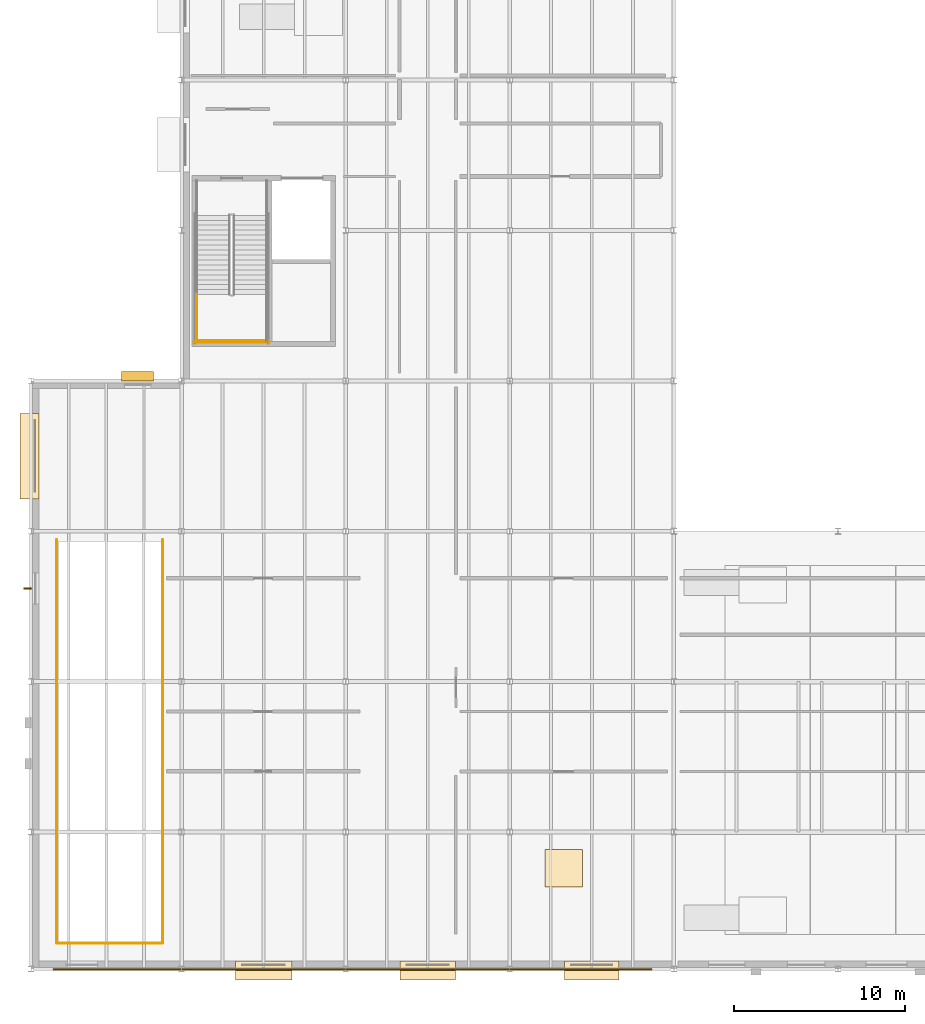
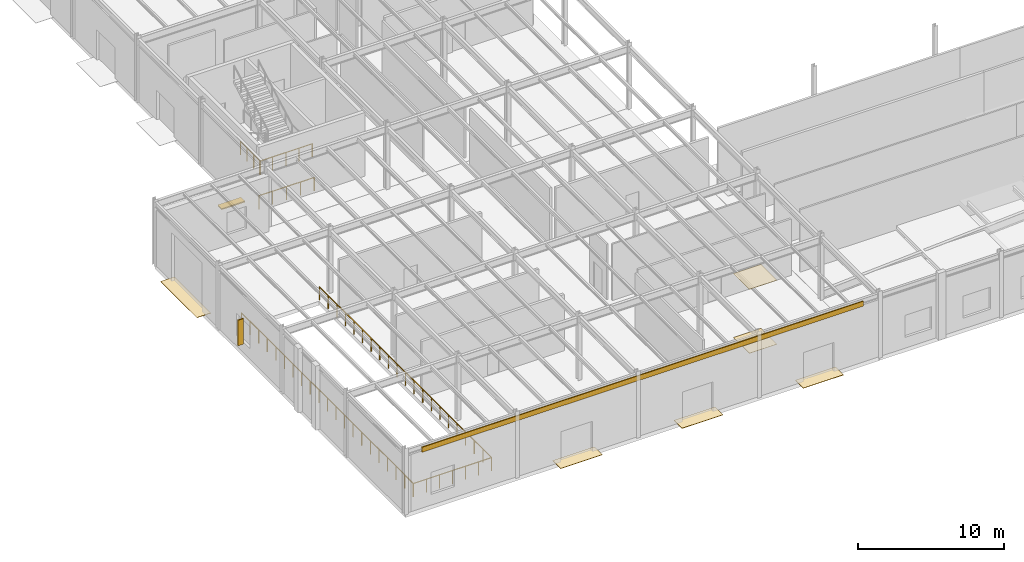
# One storey, part 55 of 70: 7 coverings, 6 railings, 2 shading devices.
"""IFC4 building model written with IfcOpenShell, lengths in metres."""

from ifc_helpers import new_model, si_unit, direction, frame, origin, origin_2d, place, context, subcontext, project, spatial, rectangle, circle, extrude, material, layer, layer_set, type_object, element, save


model = new_model("IFC4")

# Units and contexts
model_context = context("Model", 3, precision=1e-05, world=origin(), true_north=direction((0.0, 1.0)))
body_context = subcontext(model_context, "Body", "Model", "MODEL_VIEW")
ifc_project = project(units=[si_unit("LENGTHUNIT", "METRE"), si_unit("AREAUNIT", "SQUARE_METRE"), si_unit("VOLUMEUNIT", "CUBIC_METRE"), si_unit("PLANEANGLEUNIT", "RADIAN"), si_unit("MASSUNIT", "GRAM", prefix="KILO")], contexts=[model_context])

# Site, building, storey
site_placement = place(None, origin())
site = spatial("IfcSite", under=ifc_project, at=site_placement, CompositionType="ELEMENT")
building_placement = place(site_placement, origin())
building = spatial("IfcBuilding", under=site, at=building_placement, Name="Sarnbrook Museum", CompositionType="ELEMENT")
storey_placement = place(building_placement, origin())
storey = spatial("IfcBuildingStorey", under=building, at=storey_placement, Name="L00", CompositionType="ELEMENT", Elevation=0.0)

# Shading device
ifc_material_1 = material(Name="Patinated Architectural Bronze")
shading_device_type_1 = type_object("IfcShadingDeviceType", Name="BriseSoleil_Horizontal", PredefinedType="SHUTTER", material=ifc_material_1)
shading_device_1_placement = place(storey_placement, frame((11.02490234375, 39.469970703125, 2.76513671875), z_axis=(0.0, 0.0, 1.0), x_axis=(1.0, 0.0, 0.0)))
element("IfcShadingDevice", 1, at=shading_device_1_placement, inside=storey, type_object=shading_device_type_1, Name="Horizontal Bronze Brise-Soleil BS-010", PredefinedType="SHUTTER", context=body_context, shape_type="SweptSolid", body=[
    extrude(rectangle(XDim=1.85009765625, YDim=0.550048828125, at=origin_2d()), origin(), (0.0, 0.0, 1.0), 0.090087890625),
])

# Coverings
ifc_material_2 = material(Name="Tasmanian Oak Acoustic Timber", Category="wood")
ifc_layer_1 = layer(ifc_material_2, 0.02490234375)
ifc_layer_set_1 = layer_set([ifc_layer_1], Name="Tasmanian Oak Acoustic Timber")
covering_type_1 = type_object("IfcCoveringType", Name="Ceil_Timber25", PredefinedType="CEILING", material=ifc_layer_set_1)
covering_1_placement = place(storey_placement, frame((35.9599609375, 10.68505859375, 5.364990234375), z_axis=(0.0, 0.0, 1.0), x_axis=(1.0, 0.0, 0.0)))
element("IfcCovering", 2, at=covering_1_placement, inside=storey, type_object=covering_type_1, Name="Acoustic Ceiling Baffle Panel L00-15", PredefinedType="CEILING", context=body_context, shape_type="SweptSolid", body=[
    extrude(rectangle(XDim=2.199951171875, YDim=2.199951171875, at=origin_2d()), origin(), (0.0, 0.0, 1.0), 0.02490234375),
])
ifc_material_3 = material(Name="Barrabool Sandstone Ashlar Cladding", Category="masonry")
ifc_layer_2 = layer(ifc_material_3, 0.074951171875)
ifc_layer_set_2 = layer_set([ifc_layer_2], Name="Barrabool Sandstone Ashlar Cladding")
covering_type_2 = type_object("IfcCoveringType", Name="Cladding_SandstoneCornice", PredefinedType="CLADDING", material=ifc_layer_set_2)
covering_2_placement = place(storey_placement, frame((23.60009765625, 4.764892578125, 4.739990234375), z_axis=(0.0, 0.0, 1.0), x_axis=(1.0, 0.0, 0.0)))
element("IfcCovering", 3, at=covering_2_placement, inside=storey, type_object=covering_type_2, Name="Classical Dressed Sandstone Entablature Cornice CL-6", PredefinedType="CLADDING", context=body_context, shape_type="SweptSolid", body=[
    extrude(rectangle(XDim=35.0, YDim=0.080078125, at=origin_2d()), origin(), (0.0, 0.0, 1.0), 0.419921875),
])
ifc_layer_3 = layer(ifc_material_2, 0.02197265625)
ifc_layer_set_3 = layer_set([ifc_layer_3], Name="Tasmanian Oak Acoustic Timber")
covering_type_3 = type_object("IfcCoveringType", Name="Floor_Oak22", PredefinedType="FLOORING", material=ifc_layer_set_3)
covering_3_placement = place(storey_placement, frame((35.9599609375, 10.68505859375, 0.0), z_axis=(0.0, 0.0, 1.0), x_axis=(1.0, 0.0, 0.0)))
element("IfcCovering", 4, at=covering_3_placement, inside=storey, type_object=covering_type_3, Name="Gallery Floor Finish Panel L00-15", PredefinedType="FLOORING", context=body_context, shape_type="SweptSolid", body=[
    extrude(rectangle(XDim=2.199951171875, YDim=2.199951171875, at=origin_2d()), origin(), (0.0, 0.0, 1.0), 0.02197265625),
])

# Railings
ifc_material_4 = material(Name="Brushed Stainless Steel Grade 316", Category="steel")
ifc_layer_4 = layer(ifc_material_4, 0.050048828125)
ifc_layer_set_4 = layer_set([ifc_layer_4], Name="Brushed Stainless Steel Grade 316")
railing_type_1 = type_object("IfcRailingType", Name="Guard_Int1120", PredefinedType="BALUSTRADE", material=ifc_layer_set_4)
railing_1_placement = place(storey_placement, frame((14.489990234375, 44.239990234375, 2.800048828125)))
element("IfcRailing", 5, at=railing_1_placement, inside=storey, type_object=railing_type_1, Name="L00 ST5 stair guard 3", PredefinedType="BALUSTRADE", context=body_context, shape_type="SweptSolid", body=[
    extrude(circle(Radius=0.02392578125, at=origin_2d()), frame((0.0, 0.0, 1.09619140625), z_axis=(0.0, -1.0, 0.0), x_axis=(1.0, 0.0, 0.0)), (0.0, 0.0, 1.0), 2.739990234375),
    extrude(circle(Radius=0.02099609375, at=origin_2d()), origin(), (0.0, 0.0, 1.0), 1.072021484375),
    extrude(circle(Radius=0.02099609375, at=origin_2d()), frame((0.0, -0.913330078125, 0.0)), (0.0, 0.0, 1.0), 1.072021484375),
    extrude(circle(Radius=0.02099609375, at=origin_2d()), frame((0.0, -1.82666015625, 0.0)), (0.0, 0.0, 1.0), 1.072021484375),
    extrude(circle(Radius=0.02099609375, at=origin_2d()), frame((0.0, -2.739990234375, 0.0)), (0.0, 0.0, 1.0), 1.072021484375),
])
railing_2_placement = place(storey_placement, frame((14.43994140625, 41.550048828125, 2.800048828125)))
element("IfcRailing", 6, at=railing_2_placement, inside=storey, type_object=railing_type_1, Name="L00 ST5 stair guard 5", PredefinedType="BALUSTRADE", context=body_context, shape_type="SweptSolid", body=[
    extrude(circle(Radius=0.02392578125, at=origin_2d()), frame((0.0, 0.0, 1.09619140625), z_axis=(1.0, 0.0, 0.0), x_axis=(0.0, 1.0, 0.0)), (0.0, 0.0, 1.0), 4.199951171875),
    extrude(circle(Radius=0.02099609375, at=origin_2d()), origin(), (0.0, 0.0, 1.0), 1.072021484375),
    extrude(circle(Radius=0.02099609375, at=origin_2d()), frame((1.050048828125, 0.0, 0.0)), (0.0, 0.0, 1.0), 1.072021484375),
    extrude(circle(Radius=0.02099609375, at=origin_2d()), frame((2.10009765625, 0.0, 0.0)), (0.0, 0.0, 1.0), 1.072021484375),
    extrude(circle(Radius=0.02099609375, at=origin_2d()), frame((3.14990234375, 0.0, 0.0)), (0.0, 0.0, 1.0), 1.072021484375),
    extrude(circle(Radius=0.02099609375, at=origin_2d()), frame((4.199951171875, 0.0, 0.0)), (0.0, 0.0, 1.0), 1.072021484375),
])
railing_3_placement = place(storey_placement, frame((14.340087890625, 41.449951171875, 0.0)))
element("IfcRailing", 7, at=railing_3_placement, inside=storey, type_object=railing_type_1, Name="L00 ST5 stair guard 12", PredefinedType="BALUSTRADE", context=body_context, shape_type="SweptSolid", body=[
    extrude(circle(Radius=0.02392578125, at=origin_2d()), frame((0.0, 0.0, 1.09619140625), z_axis=(1.0, 0.0, 0.0), x_axis=(0.0, 1.0, 0.0)), (0.0, 0.0, 1.0), 4.39990234375),
    extrude(circle(Radius=0.02099609375, at=origin_2d()), origin(), (0.0, 0.0, 1.0), 1.072021484375),
    extrude(circle(Radius=0.02099609375, at=origin_2d()), frame((1.10009765625, 0.0, 0.0)), (0.0, 0.0, 1.0), 1.072021484375),
    extrude(circle(Radius=0.02099609375, at=origin_2d()), frame((2.199951171875, 0.0, 0.0)), (0.0, 0.0, 1.0), 1.072021484375),
    extrude(circle(Radius=0.02099609375, at=origin_2d()), frame((3.2998046875, 0.0, 0.0)), (0.0, 0.0, 1.0), 1.072021484375),
    extrude(circle(Radius=0.02099609375, at=origin_2d()), frame((4.39990234375, 0.0, 0.0)), (0.0, 0.0, 1.0), 1.072021484375),
])
ifc_layer_5 = layer(ifc_material_4, 0.050048828125)
ifc_layer_set_5 = layer_set([ifc_layer_5], Name="Brushed Stainless Steel Grade 316")
railing_type_2 = type_object("IfcRailingType", Name="Guard_Ramp1120", PredefinedType="GUARDRAIL", material=ifc_layer_set_5)
railing_4_placement = place(storey_placement, frame((12.5, 6.300048828125, 0.0)))
element("IfcRailing", 8, at=railing_4_placement, inside=storey, type_object=railing_type_2, Name="Vehicle Ramp Well Guardrail 1", PredefinedType="GUARDRAIL", context=body_context, shape_type="SweptSolid", body=[
    extrude(circle(Radius=0.02392578125, at=origin_2d()), frame((0.0, 0.0, 1.09619140625), z_axis=(0.0, 1.0, 0.0), x_axis=(-1.0, 0.0, 0.0)), (0.0, 0.0, 1.0), 23.599853515625),
    extrude(circle(Radius=0.02099609375, at=origin_2d()), origin(), (0.0, 0.0, 1.0), 1.072021484375),
    extrude(circle(Radius=0.02099609375, at=origin_2d()), frame((0.0, 1.179931640625, 0.0)), (0.0, 0.0, 1.0), 1.072021484375),
    extrude(circle(Radius=0.02099609375, at=origin_2d()), frame((0.0, 2.35986328125, 0.0)), (0.0, 0.0, 1.0), 1.072021484375),
    extrude(circle(Radius=0.02099609375, at=origin_2d()), frame((0.0, 3.5400390625, 0.0)), (0.0, 0.0, 1.0), 1.072021484375),
    extrude(circle(Radius=0.02099609375, at=origin_2d()), frame((0.0, 4.719970703125, 0.0)), (0.0, 0.0, 1.0), 1.072021484375),
    extrude(circle(Radius=0.02099609375, at=origin_2d()), frame((0.0, 5.89990234375, 0.0)), (0.0, 0.0, 1.0), 1.072021484375),
    extrude(circle(Radius=0.02099609375, at=origin_2d()), frame((0.0, 7.080078125, 0.0)), (0.0, 0.0, 1.0), 1.072021484375),
    extrude(circle(Radius=0.02099609375, at=origin_2d()), frame((0.0, 8.260009765625, 0.0)), (0.0, 0.0, 1.0), 1.072021484375),
    extrude(circle(Radius=0.02099609375, at=origin_2d()), frame((0.0, 9.43994140625, 0.0)), (0.0, 0.0, 1.0), 1.072021484375),
    extrude(circle(Radius=0.02099609375, at=origin_2d()), frame((0.0, 10.619873046875, 0.0)), (0.0, 0.0, 1.0), 1.072021484375),
    extrude(circle(Radius=0.02099609375, at=origin_2d()), frame((0.0, 11.7998046875, 0.0)), (0.0, 0.0, 1.0), 1.072021484375),
    extrude(circle(Radius=0.02099609375, at=origin_2d()), frame((0.0, 12.97998046875, 0.0)), (0.0, 0.0, 1.0), 1.072021484375),
    extrude(circle(Radius=0.02099609375, at=origin_2d()), frame((0.0, 14.159912109375, 0.0)), (0.0, 0.0, 1.0), 1.072021484375),
    extrude(circle(Radius=0.02099609375, at=origin_2d()), frame((0.0, 15.33984375, 0.0)), (0.0, 0.0, 1.0), 1.072021484375),
    extrude(circle(Radius=0.02099609375, at=origin_2d()), frame((0.0, 16.52001953125, 0.0)), (0.0, 0.0, 1.0), 1.072021484375),
    extrude(circle(Radius=0.02099609375, at=origin_2d()), frame((0.0, 17.699951171875, 0.0)), (0.0, 0.0, 1.0), 1.072021484375),
    extrude(circle(Radius=0.02099609375, at=origin_2d()), frame((0.0, 18.8798828125, 0.0)), (0.0, 0.0, 1.0), 1.072021484375),
    extrude(circle(Radius=0.02099609375, at=origin_2d()), frame((0.0, 20.059814453125, 0.0)), (0.0, 0.0, 1.0), 1.072021484375),
    extrude(circle(Radius=0.02099609375, at=origin_2d()), frame((0.0, 21.23974609375, 0.0)), (0.0, 0.0, 1.0), 1.072021484375),
    extrude(circle(Radius=0.02099609375, at=origin_2d()), frame((0.0, 22.419921875, 0.0)), (0.0, 0.0, 1.0), 1.072021484375),
    extrude(circle(Radius=0.02099609375, at=origin_2d()), frame((0.0, 23.599853515625, 0.0)), (0.0, 0.0, 1.0), 1.072021484375),
])
railing_5_placement = place(storey_placement, frame((6.300048828125, 6.300048828125, 0.0)))
element("IfcRailing", 9, at=railing_5_placement, inside=storey, type_object=railing_type_2, Name="Vehicle Ramp Well Guardrail 2", PredefinedType="GUARDRAIL", context=body_context, shape_type="SweptSolid", body=[
    extrude(circle(Radius=0.02392578125, at=origin_2d()), frame((0.0, 0.0, 1.09619140625), z_axis=(1.0, 0.0, 0.0), x_axis=(0.0, 1.0, 0.0)), (0.0, 0.0, 1.0), 6.199951171875),
    extrude(circle(Radius=0.02099609375, at=origin_2d()), origin(), (0.0, 0.0, 1.0), 1.072021484375),
    extrude(circle(Radius=0.02099609375, at=origin_2d()), frame((1.033203125, 0.0, 0.0)), (0.0, 0.0, 1.0), 1.072021484375),
    extrude(circle(Radius=0.02099609375, at=origin_2d()), frame((2.066650390625, 0.0, 0.0)), (0.0, 0.0, 1.0), 1.072021484375),
    extrude(circle(Radius=0.02099609375, at=origin_2d()), frame((3.10009765625, 0.0, 0.0)), (0.0, 0.0, 1.0), 1.072021484375),
    extrude(circle(Radius=0.02099609375, at=origin_2d()), frame((4.13330078125, 0.0, 0.0)), (0.0, 0.0, 1.0), 1.072021484375),
    extrude(circle(Radius=0.02099609375, at=origin_2d()), frame((5.16650390625, 0.0, 0.0)), (0.0, 0.0, 1.0), 1.072021484375),
    extrude(circle(Radius=0.02099609375, at=origin_2d()), frame((6.199951171875, 0.0, 0.0)), (0.0, 0.0, 1.0), 1.072021484375),
])
railing_6_placement = place(storey_placement, frame((6.300048828125, 6.300048828125, 0.0)))
element("IfcRailing", 10, at=railing_6_placement, inside=storey, type_object=railing_type_2, Name="Vehicle Ramp Well Guardrail 3", PredefinedType="GUARDRAIL", context=body_context, shape_type="SweptSolid", body=[
    extrude(circle(Radius=0.02392578125, at=origin_2d()), frame((0.0, 0.0, 1.09619140625), z_axis=(0.0, 1.0, 0.0), x_axis=(-1.0, 0.0, 0.0)), (0.0, 0.0, 1.0), 23.599853515625),
    extrude(circle(Radius=0.02099609375, at=origin_2d()), origin(), (0.0, 0.0, 1.0), 1.072021484375),
    extrude(circle(Radius=0.02099609375, at=origin_2d()), frame((0.0, 1.179931640625, 0.0)), (0.0, 0.0, 1.0), 1.072021484375),
    extrude(circle(Radius=0.02099609375, at=origin_2d()), frame((0.0, 2.35986328125, 0.0)), (0.0, 0.0, 1.0), 1.072021484375),
    extrude(circle(Radius=0.02099609375, at=origin_2d()), frame((0.0, 3.5400390625, 0.0)), (0.0, 0.0, 1.0), 1.072021484375),
    extrude(circle(Radius=0.02099609375, at=origin_2d()), frame((0.0, 4.719970703125, 0.0)), (0.0, 0.0, 1.0), 1.072021484375),
    extrude(circle(Radius=0.02099609375, at=origin_2d()), frame((0.0, 5.89990234375, 0.0)), (0.0, 0.0, 1.0), 1.072021484375),
    extrude(circle(Radius=0.02099609375, at=origin_2d()), frame((0.0, 7.080078125, 0.0)), (0.0, 0.0, 1.0), 1.072021484375),
    extrude(circle(Radius=0.02099609375, at=origin_2d()), frame((0.0, 8.260009765625, 0.0)), (0.0, 0.0, 1.0), 1.072021484375),
    extrude(circle(Radius=0.02099609375, at=origin_2d()), frame((0.0, 9.43994140625, 0.0)), (0.0, 0.0, 1.0), 1.072021484375),
    extrude(circle(Radius=0.02099609375, at=origin_2d()), frame((0.0, 10.619873046875, 0.0)), (0.0, 0.0, 1.0), 1.072021484375),
    extrude(circle(Radius=0.02099609375, at=origin_2d()), frame((0.0, 11.7998046875, 0.0)), (0.0, 0.0, 1.0), 1.072021484375),
    extrude(circle(Radius=0.02099609375, at=origin_2d()), frame((0.0, 12.97998046875, 0.0)), (0.0, 0.0, 1.0), 1.072021484375),
    extrude(circle(Radius=0.02099609375, at=origin_2d()), frame((0.0, 14.159912109375, 0.0)), (0.0, 0.0, 1.0), 1.072021484375),
    extrude(circle(Radius=0.02099609375, at=origin_2d()), frame((0.0, 15.33984375, 0.0)), (0.0, 0.0, 1.0), 1.072021484375),
    extrude(circle(Radius=0.02099609375, at=origin_2d()), frame((0.0, 16.52001953125, 0.0)), (0.0, 0.0, 1.0), 1.072021484375),
    extrude(circle(Radius=0.02099609375, at=origin_2d()), frame((0.0, 17.699951171875, 0.0)), (0.0, 0.0, 1.0), 1.072021484375),
    extrude(circle(Radius=0.02099609375, at=origin_2d()), frame((0.0, 18.8798828125, 0.0)), (0.0, 0.0, 1.0), 1.072021484375),
    extrude(circle(Radius=0.02099609375, at=origin_2d()), frame((0.0, 20.059814453125, 0.0)), (0.0, 0.0, 1.0), 1.072021484375),
    extrude(circle(Radius=0.02099609375, at=origin_2d()), frame((0.0, 21.23974609375, 0.0)), (0.0, 0.0, 1.0), 1.072021484375),
    extrude(circle(Radius=0.02099609375, at=origin_2d()), frame((0.0, 22.419921875, 0.0)), (0.0, 0.0, 1.0), 1.072021484375),
    extrude(circle(Radius=0.02099609375, at=origin_2d()), frame((0.0, 23.599853515625, 0.0)), (0.0, 0.0, 1.0), 1.072021484375),
])

# Coverings
ifc_material_5 = material(Name="Victorian Bluestone Ashlar Masonry", Category="masonry")
ifc_layer_6 = layer(ifc_material_5, 0.030029296875)
ifc_layer_set_6 = layer_set([ifc_layer_6], Name="Victorian Bluestone Ashlar Masonry")
covering_type_4 = type_object("IfcCoveringType", Name="Paving_BluestoneApron", PredefinedType="FLOORING", material=ifc_layer_set_6)
covering_4_placement = place(storey_placement, frame((4.702392578125, 34.800048828125, -0.02978515625), z_axis=(0.0, 0.0, 1.0), x_axis=(1.0, 0.0, 0.0)))
element("IfcCovering", 11, at=covering_4_placement, inside=storey, type_object=covering_type_4, Name="Exterior Bluestone Entry Paving 30", PredefinedType="FLOORING", context=body_context, shape_type="SweptSolid", body=[
    extrude(rectangle(XDim=1.10498046875, YDim=5.0, at=origin_2d()), origin(), (0.0, 0.0, 1.0), 0.030029296875),
])
covering_5_placement = place(storey_placement, frame((18.39990234375, 4.702392578125, -0.02978515625), z_axis=(0.0, 0.0, 1.0), x_axis=(1.0, 0.0, 0.0)))
element("IfcCovering", 12, at=covering_5_placement, inside=storey, type_object=covering_type_4, Name="Exterior Bluestone Entry Paving 31", PredefinedType="FLOORING", context=body_context, shape_type="SweptSolid", body=[
    extrude(rectangle(XDim=3.300048828125, YDim=1.10498046875, at=origin_2d()), origin(), (0.0, 0.0, 1.0), 0.030029296875),
])
covering_6_placement = place(storey_placement, frame((28.0, 4.702392578125, -0.02978515625), z_axis=(0.0, 0.0, 1.0), x_axis=(1.0, 0.0, 0.0)))
element("IfcCovering", 13, at=covering_6_placement, inside=storey, type_object=covering_type_4, Name="Exterior Bluestone Entry Paving 32", PredefinedType="FLOORING", context=body_context, shape_type="SweptSolid", body=[
    extrude(rectangle(XDim=3.25, YDim=1.10498046875, at=origin_2d()), origin(), (0.0, 0.0, 1.0), 0.030029296875),
])
covering_7_placement = place(storey_placement, frame((37.60009765625, 4.702392578125, -0.02978515625), z_axis=(0.0, 0.0, 1.0), x_axis=(1.0, 0.0, 0.0)))
element("IfcCovering", 14, at=covering_7_placement, inside=storey, type_object=covering_type_4, Name="Exterior Bluestone Entry Paving 33", PredefinedType="FLOORING", context=body_context, shape_type="SweptSolid", body=[
    extrude(rectangle(XDim=3.199951171875, YDim=1.10498046875, at=origin_2d()), origin(), (0.0, 0.0, 1.0), 0.030029296875),
])

# Shading device
shading_device_type_2 = type_object("IfcShadingDeviceType", Name="SunFin_VerticalBronze", PredefinedType="USERDEFINED", material=ifc_material_1)
shading_device_2_placement = place(storey_placement, frame((4.580078125, 27.053955078125, 0.75), z_axis=(0.0, 0.0, 1.0), x_axis=(1.0, 0.0, 0.0)))
element("IfcShadingDevice", 15, at=shading_device_2_placement, inside=storey, type_object=shading_device_type_2, Name="Vertical Bronze Sun-Shading Fin SF-004", ObjectType="FIN", PredefinedType="USERDEFINED", context=body_context, shape_type="SweptSolid", body=[
    extrude(rectangle(XDim=0.449951171875, YDim=0.080078125, at=origin_2d()), origin(), (0.0, 0.0, 1.0), 2.14990234375),
])

save(model, "model.ifc")
